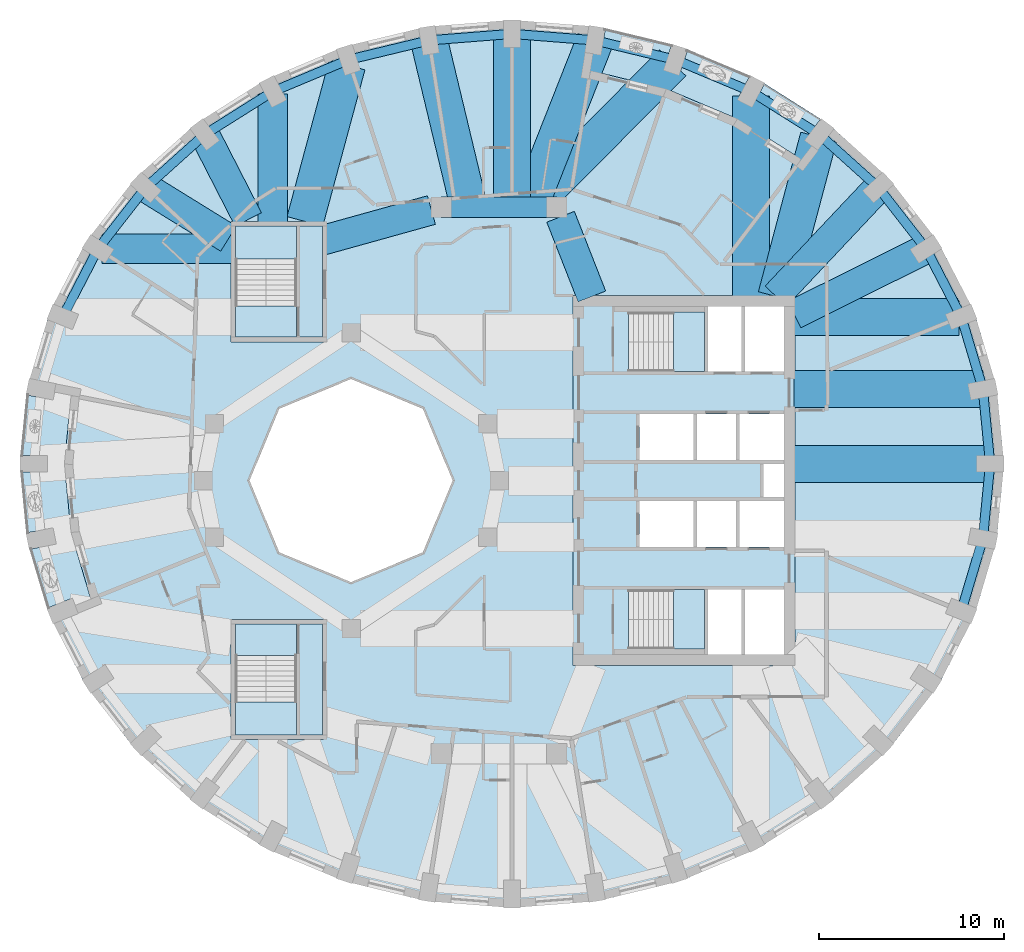
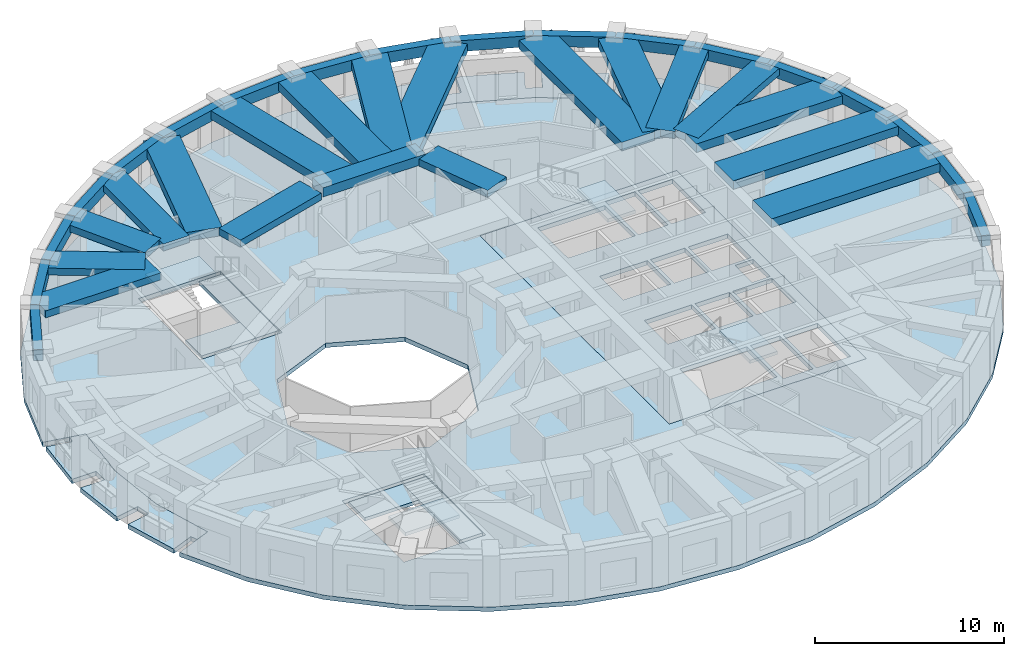
# One storey, part 2 of 12: 37 beams, 12 slabs, 4 elements without a shape of their own.
"""IFC4 building model written with IfcOpenShell, lengths in metres."""

import ifcopenshell
import ifcopenshell.guid

model = None  # the IFC model being written
_history = None  # IfcOwnerHistory: only IFC2X3 demands one
_inside = {}  # id of a spatial element -> (the spatial element, [elements in it])
_under = {}  # id of a project, library or spatial element -> (it, [spatial elements below it])
_declared = {}  # id of a project -> (the project, [libraries it declares])
_typed = {}  # id of a type object -> (the type object, [elements of that type])
_made_of = {}  # id of a material, layer set ... -> (it, [elements and type objects made of it])


def new_model(schema):
    """Start an empty IFC model of exactly this schema.

    Asked for "IFC4X3", IfcOpenShell would pick the latest addendum, in which some entities
    have other attributes; the version numbers below select the first issue.
    IFC2X3 requires an IfcOwnerHistory on every rooted entity: one is made here for all.
    """
    global model, _history
    if schema == "IFC4X3":
        model = ifcopenshell.file(schema_version=(4, 3, 0, 0))
    else:
        model = ifcopenshell.file(schema=schema)
    _inside.clear()
    _under.clear()
    _declared.clear()
    _typed.clear()
    _made_of.clear()
    _history = None
    if model.schema == "IFC2X3":
        org = make("IfcOrganization", Name="unknown")
        user = make(
            "IfcPersonAndOrganization",
            ThePerson=make("IfcPerson", FamilyName="unknown"),
            TheOrganization=org,
        )
        app = make(
            "IfcApplication",
            ApplicationDeveloper=org,
            Version="unknown",
            ApplicationFullName="unknown",
            ApplicationIdentifier="unknown",
        )
        _history = make(
            "IfcOwnerHistory",
            OwningUser=user,
            OwningApplication=app,
            ChangeAction="ADDED",
            CreationDate=0,
        )
    return model


def make(cls, **values):
    """One entity of the class cls with the attributes given. An attribute that is None is left unset."""
    return model.create_entity(
        cls, **{name: value for name, value in values.items() if value is not None}
    )


def rooted(cls, **values):
    """An entity with a GlobalId (a new one), such as an element, a storey or a relation."""
    return make(cls, GlobalId=ifcopenshell.guid.new(), OwnerHistory=_history, **values)


def si_unit(unit_type, name, prefix=None):
    """IfcSIUnit, for example si_unit("LENGTHUNIT", "METRE", prefix="MILLI")."""
    return make("IfcSIUnit", UnitType=unit_type, Prefix=prefix, Name=name)


def assignment(units):
    """IfcUnitAssignment: the units of a project."""
    return None if units is None else make("IfcUnitAssignment", Units=units)


def point(xyz):
    """IfcCartesianPoint."""
    return None if xyz is None else make("IfcCartesianPoint", Coordinates=xyz)


def direction(xyz):
    """IfcDirection."""
    return None if xyz is None else make("IfcDirection", DirectionRatios=xyz)


def frame(location, z_axis=None, x_axis=None):
    """IfcAxis2Placement3D, a coordinate frame: its origin and axes. An axis left out is left unset."""
    return make(
        "IfcAxis2Placement3D",
        Location=point(location),
        Axis=direction(z_axis),
        RefDirection=direction(x_axis),
    )


def frame_2d(location, x_axis=None):
    """IfcAxis2Placement2D, a coordinate frame in the plane: its origin and x axis."""
    return make(
        "IfcAxis2Placement2D", Location=point(location), RefDirection=direction(x_axis)
    )


def origin():
    """The frame at (0, 0, 0) with its axes left unset."""
    return frame((0.0, 0.0, 0.0))


def origin_2d():
    """The frame at (0, 0) in the plane with its x axis left unset."""
    return frame_2d((0.0, 0.0))


def place(relative_to, where):
    """IfcLocalPlacement: puts the frame where relative to a parent placement (None: the world)."""
    return make(
        "IfcLocalPlacement", PlacementRelTo=relative_to, RelativePlacement=where
    )


def context(
    kind, dimensions, precision=None, world=None, true_north=None, identifier=None
):
    """IfcGeometricRepresentationContext, for example the 3D "Model" context."""
    return make(
        "IfcGeometricRepresentationContext",
        ContextIdentifier=identifier,
        ContextType=kind,
        CoordinateSpaceDimension=dimensions,
        Precision=precision,
        WorldCoordinateSystem=world,
        TrueNorth=true_north,
    )


def subcontext(parent, identifier, kind, view, scale=None):
    """IfcGeometricRepresentationSubContext, for example "Body" below "Model"."""
    return make(
        "IfcGeometricRepresentationSubContext",
        ContextIdentifier=identifier,
        ContextType=kind,
        ParentContext=parent,
        TargetScale=scale,
        TargetView=view,
    )


def project(units=None, contexts=None):
    """IfcProject with its units and contexts."""
    return rooted(
        "IfcProject",
        Name="project",
        RepresentationContexts=contexts,
        UnitsInContext=assignment(units),
    )


def spatial(cls, under=None, at=None, **own):
    """A site, building, storey or space (cls), placed at a placement, below another one or the project."""
    s = rooted(cls, ObjectPlacement=at, **own)
    if under is not None:
        _under.setdefault(under.id(), (under, []))[1].append(s)
    return s


def polyline(points):
    """IfcPolyline through the points."""
    return make("IfcPolyline", Points=[point(p) for p in points])


def profile(cls, at=None, kind="AREA", **sizes):
    """A parametric profile (cls). Its sizes go by their IFC names, for example OverallWidth=200.0."""
    return make(cls, ProfileType=kind, Position=at, **sizes)


def rectangle(**sizes):
    """IfcRectangleProfileDef."""
    return profile("IfcRectangleProfileDef", **sizes)


def outline(outer, holes=None, kind="AREA"):
    """IfcArbitraryClosedProfileDef: a profile drawn as a closed curve; with holes, ...WithVoids."""
    if holes is None:
        return make("IfcArbitraryClosedProfileDef", ProfileType=kind, OuterCurve=outer)
    return make(
        "IfcArbitraryProfileDefWithVoids",
        ProfileType=kind,
        OuterCurve=outer,
        InnerCurves=holes,
    )


def extrude(swept, where, along, depth):
    """IfcExtrudedAreaSolid: the profile swept, set in the frame where, extruded along a direction by depth."""
    return make(
        "IfcExtrudedAreaSolid",
        SweptArea=swept,
        Position=where,
        ExtrudedDirection=direction(along),
        Depth=depth,
    )


def shape(context_of_items, identifier, shape_type, items):
    """IfcShapeRepresentation: the items that make up one representation, for example the "Body"."""
    return make(
        "IfcShapeRepresentation",
        ContextOfItems=context_of_items,
        RepresentationIdentifier=identifier,
        RepresentationType=shape_type,
        Items=items,
    )


def material(Name=None, Category=None):
    """IfcMaterial."""
    return make("IfcMaterial", Name=Name, Category=Category)


def layer(
    of_material, thickness, ventilated=None, Name=None, Category=None, Priority=None
):
    """IfcMaterialLayer: one layer of a wall or slab, of a material (None: an air gap)."""
    return make(
        "IfcMaterialLayer",
        Material=of_material,
        LayerThickness=thickness,
        IsVentilated=ventilated,
        Name=Name,
        Category=Category,
        Priority=Priority,
    )


def layer_set(layers, Name=None):
    """IfcMaterialLayerSet."""
    return make("IfcMaterialLayerSet", MaterialLayers=layers, LayerSetName=Name)


def material_profile(
    of_material, cross_section, Name=None, Category=None, Priority=None
):
    """IfcMaterialProfile: a cross section and its material."""
    return make(
        "IfcMaterialProfile",
        Name=Name,
        Material=of_material,
        Profile=cross_section,
        Priority=Priority,
        Category=Category,
    )


def profile_set(profiles, Name=None, composite=None):
    """IfcMaterialProfileSet."""
    return make(
        "IfcMaterialProfileSet",
        Name=Name,
        MaterialProfiles=profiles,
        CompositeProfile=composite,
    )


def made_of(thing, what):
    """Note that an element or type object is made of a material, layer set ...; save() writes the relation."""
    if what is not None:
        _made_of.setdefault(what.id(), (what, []))[1].append(thing)
    return thing


def type_object(cls, material=None, **own):
    """A type object (cls), such as IfcWallType, which elements share."""
    return made_of(rooted(cls, **own), material)


def element(
    cls,
    number,
    at=None,
    inside=None,
    cuts=None,
    type_object=None,
    material=None,
    context=None,
    identifier="Body",
    shape_type=None,
    held_by="IfcProductDefinitionShape",
    body=None,
    shapes=None,
    **own,
):
    """One element of the class cls, such as IfcWall. Its Tag is "e" and its number.

    at: its placement. inside: the storey or other place that contains it. cuts: it is an
    opening in that element (IfcRelVoidsElement). A single representation is given by context,
    identifier, shape_type and body (its items); several are given by shapes. held_by: the class
    of the entity that holds the representations. save() writes the other relations.
    """
    e = rooted(cls, Tag="e%d" % number, ObjectPlacement=at, **own)
    if body is not None:
        shapes = [shape(context, identifier, shape_type, body)]
    if shapes is not None:
        e.Representation = make(held_by, Representations=shapes)
    if inside is not None:
        _inside.setdefault(inside.id(), (inside, []))[1].append(e)
    if cuts is not None:
        rooted(
            "IfcRelVoidsElement", RelatingBuildingElement=cuts, RelatedOpeningElement=e
        )
    if type_object is not None:
        _typed.setdefault(type_object.id(), (type_object, []))[1].append(e)
    return made_of(e, material)


def aggregate(whole, parts):
    """IfcRelAggregates: a whole, such as a stair, and the parts it consists of."""
    return rooted("IfcRelAggregates", RelatingObject=whole, RelatedObjects=parts)


def save(model, path):
    """Write the relations noted so far, then the file.

    IfcRelAggregates (storeys below a building ...), IfcRelContainedInSpatialStructure (elements
    in a storey), IfcRelDefinesByType, IfcRelAssociatesMaterial and IfcRelDeclares: one each for
    every whole, place, type object, material and project.
    """
    for whole, parts in _under.values():
        aggregate(whole, parts)
    for where, things in _inside.values():
        rooted(
            "IfcRelContainedInSpatialStructure",
            RelatedElements=things,
            RelatingStructure=where,
        )
    for kind, things in _typed.values():
        rooted("IfcRelDefinesByType", RelatedObjects=things, RelatingType=kind)
    for what, things in _made_of.values():
        rooted("IfcRelAssociatesMaterial", RelatedObjects=things, RelatingMaterial=what)
    for by, libraries in _declared.values():
        rooted("IfcRelDeclares", RelatingContext=by, RelatedDefinitions=libraries)
    model.write(path)


model = new_model("IFC4")

# Units and contexts
model_context = context("Model", 3, precision=1e-05, world=origin(), true_north=direction((0.0, 1.0)))
body_context = subcontext(model_context, "Body", "Model", "MODEL_VIEW")
ifc_project = project(units=[si_unit("LENGTHUNIT", "METRE"), si_unit("AREAUNIT", "SQUARE_METRE"), si_unit("VOLUMEUNIT", "CUBIC_METRE"), si_unit("PLANEANGLEUNIT", "RADIAN"), si_unit("MASSUNIT", "GRAM", prefix="KILO")], contexts=[model_context])

# Site, building, storey
site_placement = place(None, origin())
site = spatial("IfcSite", under=ifc_project, at=site_placement, CompositionType="ELEMENT")
building_placement = place(site_placement, origin())
building = spatial("IfcBuilding", under=site, at=building_placement, Name="Taillehof Tower", CompositionType="ELEMENT")
storey_placement = place(building_placement, frame((0.0, 0.0, 195.800048828125)))
storey = spatial("IfcBuildingStorey", under=building, at=storey_placement, Name="L55", CompositionType="ELEMENT", Elevation=195.800048828125)

# Beams
ifc_material_1 = material(Name="Concrete C50/60", Category="concrete")
ifc_material_profile_1 = material_profile(ifc_material_1, rectangle(XDim=1.10009765625, YDim=0.60009765625, at=origin_2d()), Name="RC 1100x600")
ifc_profile_set_1 = profile_set([ifc_material_profile_1], Name="Concrete C50/60")
beam_type_1 = type_object("IfcBeamType", Name="Mid-ring beam C50/60 1100x600", PredefinedType="BEAM", material=ifc_profile_set_1)
beam_1_placement = place(storey_placement, frame((3.125732421875, 14.772216796875, 2.719970703125), z_axis=(-1.0, 0.0, 0.0), x_axis=(0.0, -1.0, 0.0)))
element("IfcBeam", 1, at=beam_1_placement, inside=storey, type_object=beam_type_1, Name="Mid-ring beam MB01", PredefinedType="BEAM", context=body_context, shape_type="SweptSolid", body=[
    extrude(rectangle(XDim=1.10009765625, YDim=0.60009765625, at=origin_2d()), origin(), (0.0, 0.0, 1.0), 6.25146484375),
])
ifc_material_2 = material(Name="Concrete C50/60", Category="concrete")
ifc_material_profile_2 = material_profile(ifc_material_2, rectangle(XDim=1.60009765625, YDim=0.449951171875, at=origin_2d()), Name="RC 1600x450")
ifc_profile_set_2 = profile_set([ifc_material_profile_2], Name="Concrete C50/60")
beam_type_2 = type_object("IfcBeamType", Name="Radial band beam C50/60 1600x450", PredefinedType="BEAM", material=ifc_profile_set_2)
beam_2_placement = place(storey_placement, frame((23.086669921875, 12.52490234375, 2.794921875), z_axis=(-0.895357082848, -0.445348957778, 0.0), x_axis=(0.445348957778, -0.895357082848, 0.0)))
element("IfcBeam", 2, at=beam_2_placement, inside=storey, type_object=beam_type_2, Name="Radial band beam RB04", PredefinedType="BEAM", context=body_context, shape_type="SweptSolid", body=[
    extrude(rectangle(XDim=1.60009765625, YDim=0.449951171875, at=origin_2d()), origin(), (0.0, 0.0, 1.0), 7.96484375),
])
beam_3_placement = place(storey_placement, frame((20.502197265625, 15.8447265625, 2.794921875), z_axis=(-0.685451470964, -0.728118315217, 0.0), x_axis=(0.728118315217, -0.685451470964, 0.0)))
element("IfcBeam", 3, at=beam_3_placement, inside=storey, type_object=beam_type_2, Name="Radial band beam RB05", PredefinedType="BEAM", context=body_context, shape_type="SweptSolid", body=[
    extrude(rectangle(XDim=1.60009765625, YDim=0.449951171875, at=origin_2d()), origin(), (0.0, 0.0, 1.0), 8.07373046875),
])
beam_4_placement = place(storey_placement, frame((-12.22509765625, 20.9013671875, 2.794921875), z_axis=(0.0, -1.0, 0.0), x_axis=(1.0, 0.0, 0.0)))
element("IfcBeam", 4, at=beam_4_placement, inside=storey, type_object=beam_type_2, Name="Radial band beam RB13", PredefinedType="BEAM", context=body_context, shape_type="SweptSolid", body=[
    extrude(rectangle(XDim=1.60009765625, YDim=0.449951171875, at=origin_2d()), origin(), (0.0, 0.0, 1.0), 6.951416015625),
])
beam_5_placement = place(storey_placement, frame((-15.916015625, 18.71044921875, 2.794921875), z_axis=(0.456360793517, -0.889794822496, 0.0), x_axis=(0.889794822496, 0.456360793517, 0.0)))
element("IfcBeam", 5, at=beam_5_placement, inside=storey, type_object=beam_type_2, Name="Radial band beam RB14", PredefinedType="BEAM", context=body_context, shape_type="SweptSolid", body=[
    extrude(rectangle(XDim=1.60009765625, YDim=0.449951171875, at=origin_2d()), origin(), (0.0, 0.0, 1.0), 5.16455078125),
])
beam_6_placement = place(storey_placement, frame((-19.102294921875, 15.8447265625, 2.794921875), z_axis=(0.850616081395, -0.525787297366, 0.0), x_axis=(0.525787297366, 0.850616081395, 0.0)))
element("IfcBeam", 6, at=beam_6_placement, inside=storey, type_object=beam_type_2, Name="Radial band beam RB15", PredefinedType="BEAM", context=body_context, shape_type="SweptSolid", body=[
    extrude(rectangle(XDim=1.60009765625, YDim=0.449951171875, at=origin_2d()), origin(), (0.0, 0.0, 1.0), 5.260498046875),
])
beam_7_placement = place(storey_placement, frame((-21.47021484375, 12.52490234375, 2.794921875), z_axis=(1.0, 0.0, 0.0), x_axis=(0.0, 1.0, 0.0)))
element("IfcBeam", 7, at=beam_7_placement, inside=storey, type_object=beam_type_2, Name="Radial band beam RB16", PredefinedType="BEAM", context=body_context, shape_type="SweptSolid", body=[
    extrude(rectangle(XDim=1.60009765625, YDim=0.449951171875, at=origin_2d()), origin(), (0.0, 0.0, 1.0), 7.020263671875),
])
beam_8_placement = place(storey_placement, frame((3.32666015625, 14.26025390625, 2.794921875), z_axis=(0.365588707223, -0.930776502255, 0.0), x_axis=(0.930776502255, 0.365588707223, 0.0)))
element("IfcBeam", 8, at=beam_8_placement, inside=storey, type_object=beam_type_2, Name="Inner band beam IB205", PredefinedType="BEAM", context=body_context, shape_type="SweptSolid", body=[
    extrude(rectangle(XDim=1.60009765625, YDim=0.449951171875, at=origin_2d()), origin(), (0.0, 0.0, 1.0), 4.627197265625),
])
beam_9_placement = place(storey_placement, frame((-3.655517578125, 14.624755859375, 2.794921875), z_axis=(-0.963459369536, -0.267854518821, 0.0), x_axis=(0.267854518821, -0.963459369536, 0.0)))
element("IfcBeam", 9, at=beam_9_placement, inside=storey, type_object=beam_type_2, Name="Inner band beam IB206", PredefinedType="BEAM", context=body_context, shape_type="SweptSolid", body=[
    extrude(rectangle(XDim=1.60009765625, YDim=0.449951171875, at=origin_2d()), origin(), (0.0, 0.0, 1.0), 6.096923828125),
])
ifc_material_3 = material(Name="Concrete C50/60", Category="concrete")
ifc_material_profile_3 = material_profile(ifc_material_3, rectangle(XDim=2.0, YDim=0.550048828125, at=origin_2d()), Name="RC 2000x550")
ifc_profile_set_3 = profile_set([ifc_material_profile_3], Name="Concrete C50/60")
beam_type_3 = type_object("IfcBeamType", Name="Radial band beam C50/60 2000x550", PredefinedType="BEAM", material=ifc_profile_set_3)
beam_10_placement = place(storey_placement, frame((26.550048828125, 0.89990234375, 2.744873046875), z_axis=(-1.0, 0.0, 0.0), x_axis=(0.0, -1.0, 0.0)))
element("IfcBeam", 10, at=beam_10_placement, inside=storey, type_object=beam_type_3, Name="Radial band beam RB01", PredefinedType="BEAM", context=body_context, shape_type="SweptSolid", body=[
    extrude(rectangle(XDim=2.0, YDim=0.550048828125, at=origin_2d()), origin(), (0.0, 0.0, 1.0), 10.60009765625),
])
beam_11_placement = place(storey_placement, frame((26.1572265625, 4.937255859375, 2.744873046875), z_axis=(-1.0, 0.0, 0.0), x_axis=(0.0, -1.0, 0.0)))
element("IfcBeam", 11, at=beam_11_placement, inside=storey, type_object=beam_type_3, Name="Radial band beam RB02", PredefinedType="BEAM", context=body_context, shape_type="SweptSolid", body=[
    extrude(rectangle(XDim=2.0, YDim=0.550048828125, at=origin_2d()), origin(), (0.0, 0.0, 1.0), 10.207275390625),
])
beam_12_placement = place(storey_placement, frame((24.856201171875, 8.85205078125, 2.744873046875), z_axis=(-1.0, 0.0, 0.0), x_axis=(0.0, -1.0, 0.0)))
element("IfcBeam", 12, at=beam_12_placement, inside=storey, type_object=beam_type_3, Name="Radial band beam RB03", PredefinedType="BEAM", context=body_context, shape_type="SweptSolid", body=[
    extrude(rectangle(XDim=2.0, YDim=0.550048828125, at=origin_2d()), origin(), (0.0, 0.0, 1.0), 8.90625),
])
beam_13_placement = place(storey_placement, frame((17.28076171875, 18.577880859375, 2.744873046875), z_axis=(-0.256969711091, -0.966419457369, 0.0), x_axis=(0.966419457369, -0.256969711091, 0.0)))
element("IfcBeam", 13, at=beam_13_placement, inside=storey, type_object=beam_type_3, Name="Radial band beam RB06", PredefinedType="BEAM", context=body_context, shape_type="SweptSolid", body=[
    extrude(rectangle(XDim=2.0, YDim=0.550048828125, at=origin_2d()), origin(), (0.0, 0.0, 1.0), 8.926025390625),
])
beam_14_placement = place(storey_placement, frame((13.625, 20.797607421875, 2.744873046875), z_axis=(0.0, -1.0, 0.0), x_axis=(1.0, 0.0, 0.0)))
element("IfcBeam", 14, at=beam_14_placement, inside=storey, type_object=beam_type_3, Name="Radial band beam RB07", PredefinedType="BEAM", context=body_context, shape_type="SweptSolid", body=[
    extrude(rectangle(XDim=2.0, YDim=0.550048828125, at=origin_2d()), origin(), (0.0, 0.0, 1.0), 10.84765625),
])
beam_15_placement = place(storey_placement, frame((9.384765625, 22.590087890625, 2.744873046875), z_axis=(-0.704433609475, -0.709769885133, 0.0), x_axis=(0.709769885133, -0.704433609475, 0.0)))
element("IfcBeam", 15, at=beam_15_placement, inside=storey, type_object=beam_type_3, Name="Radial band beam RB08", PredefinedType="BEAM", context=body_context, shape_type="SweptSolid", body=[
    extrude(rectangle(XDim=2.0, YDim=0.550048828125, at=origin_2d()), origin(), (0.0, 0.0, 1.0), 10.79736328125),
])
beam_16_placement = place(storey_placement, frame((5.188720703125, 23.796875, 2.744873046875), z_axis=(-0.367222105753, -0.930133283485, 0.0), x_axis=(0.930133283485, -0.367222105753, 0.0)))
element("IfcBeam", 16, at=beam_16_placement, inside=storey, type_object=beam_type_3, Name="Radial band beam RB09", PredefinedType="BEAM", context=body_context, shape_type="SweptSolid", body=[
    extrude(rectangle(XDim=2.0, YDim=0.550048828125, at=origin_2d()), origin(), (0.0, 0.0, 1.0), 9.70263671875),
])
beam_17_placement = place(storey_placement, frame((0.699951171875, 24.14990234375, 2.744873046875), z_axis=(0.0, -1.0, 0.0), x_axis=(1.0, 0.0, 0.0)))
element("IfcBeam", 17, at=beam_17_placement, inside=storey, type_object=beam_type_3, Name="Radial band beam RB10", PredefinedType="BEAM", context=body_context, shape_type="SweptSolid", body=[
    extrude(rectangle(XDim=2.0, YDim=0.550048828125, at=origin_2d()), origin(), (0.0, 0.0, 1.0), 9.377685546875),
])
beam_18_placement = place(storey_placement, frame((-3.788818359375, 23.796875, 2.744873046875), z_axis=(0.233084395558, -0.972456510363, 0.0), x_axis=(0.972456510363, 0.233084395558, 0.0)))
element("IfcBeam", 18, at=beam_18_placement, inside=storey, type_object=beam_type_3, Name="Radial band beam RB11", PredefinedType="BEAM", context=body_context, shape_type="SweptSolid", body=[
    extrude(rectangle(XDim=2.0, YDim=0.550048828125, at=origin_2d()), origin(), (0.0, 0.0, 1.0), 9.2802734375),
])
beam_19_placement = place(storey_placement, frame((-8.2177734375, 22.464111328125, 2.744873046875), z_axis=(-0.260346436551, -0.965515268121, 0.0), x_axis=(0.965515268121, -0.260346436551, 0.0)))
element("IfcBeam", 19, at=beam_19_placement, inside=storey, type_object=beam_type_3, Name="Radial band beam RB12", PredefinedType="BEAM", context=body_context, shape_type="SweptSolid", body=[
    extrude(rectangle(XDim=2.0, YDim=0.550048828125, at=origin_2d()), origin(), (0.0, 0.0, 1.0), 8.755859375),
])
ifc_material_4 = material(Name="Concrete C50/60", Category="concrete")
ifc_material_profile_4 = material_profile(ifc_material_4, rectangle(XDim=0.5, YDim=0.699951171875, at=origin_2d()), Name="RC 500x700")
ifc_profile_set_4 = profile_set([ifc_material_profile_4], Name="Concrete C50/60")
beam_type_4 = type_object("IfcBeamType", Name="Spandrel beam C50/60 500x700", PredefinedType="SPANDREL", material=ifc_profile_set_4)
beam_20_placement = place(storey_placement, frame((26.550048828125, 0.89990234375, 2.669921875), z_axis=(-0.096839674059, 0.995299993735, 0.0), x_axis=(-0.995299993735, -0.096839674059, 0.0)))
element("IfcBeam", 20, at=beam_20_placement, inside=storey, type_object=beam_type_4, Name="Spandrel beam SB01", PredefinedType="SPANDREL", context=body_context, shape_type="SweptSolid", body=[
    extrude(rectangle(XDim=0.5, YDim=0.699951171875, at=origin_2d()), origin(), (0.0, 0.0, 1.0), 4.056396484375),
])
beam_21_placement = place(storey_placement, frame((26.1572265625, 4.937255859375, 2.669921875), z_axis=(-0.285510458946, 0.9583755933, 0.0), x_axis=(-0.9583755933, -0.285510458946, 0.0)))
element("IfcBeam", 21, at=beam_21_placement, inside=storey, type_object=beam_type_4, Name="Spandrel beam SB02", PredefinedType="SPANDREL", context=body_context, shape_type="SweptSolid", body=[
    extrude(rectangle(XDim=0.5, YDim=0.699951171875, at=origin_2d()), origin(), (0.0, 0.0, 1.0), 4.084716796875),
])
beam_22_placement = place(storey_placement, frame((24.990966796875, 8.85205078125, 2.669921875), z_axis=(-0.460289604274, 0.887768821371, 0.0), x_axis=(-0.887768821371, -0.460289604274, 0.0)))
element("IfcBeam", 22, at=beam_22_placement, inside=storey, type_object=beam_type_4, Name="Spandrel beam SB03", PredefinedType="SPANDREL", context=body_context, shape_type="SweptSolid", body=[
    extrude(rectangle(XDim=0.5, YDim=0.699951171875, at=origin_2d()), origin(), (0.0, 0.0, 1.0), 4.13720703125),
])
beam_23_placement = place(storey_placement, frame((23.086669921875, 12.52490234375, 2.669921875), z_axis=(-0.614294081938, 0.789077170432, 0.0), x_axis=(-0.789077170432, -0.614294081938, 0.0)))
element("IfcBeam", 23, at=beam_23_placement, inside=storey, type_object=beam_type_4, Name="Spandrel beam SB04", PredefinedType="SPANDREL", context=body_context, shape_type="SweptSolid", body=[
    extrude(rectangle(XDim=0.5, YDim=0.699951171875, at=origin_2d()), origin(), (0.0, 0.0, 1.0), 4.207275390625),
])
beam_24_placement = place(storey_placement, frame((20.502197265625, 15.8447265625, 2.669921875), z_axis=(-0.743492416006, 0.668744366213, 0.0), x_axis=(-0.668744366213, -0.743492416006, 0.0)))
element("IfcBeam", 24, at=beam_24_placement, inside=storey, type_object=beam_type_4, Name="Spandrel beam SB05", PredefinedType="SPANDREL", context=body_context, shape_type="SweptSolid", body=[
    extrude(rectangle(XDim=0.5, YDim=0.699951171875, at=origin_2d()), origin(), (0.0, 0.0, 1.0), 4.28515625),
])
beam_25_placement = place(storey_placement, frame((17.316162109375, 18.71044921875, 2.669921875), z_axis=(-0.846166475687, 0.532918657417, 0.0), x_axis=(-0.532918657417, -0.846166475687, 0.0)))
element("IfcBeam", 25, at=beam_25_placement, inside=storey, type_object=beam_type_4, Name="Spandrel beam SB06", PredefinedType="SPANDREL", context=body_context, shape_type="SweptSolid", body=[
    extrude(rectangle(XDim=0.5, YDim=0.699951171875, at=origin_2d()), origin(), (0.0, 0.0, 1.0), 4.3623046875),
])
beam_26_placement = place(storey_placement, frame((13.625, 21.03515625, 2.669921875), z_axis=(-0.92218550199, 0.386747850569, 0.0), x_axis=(-0.386747850569, -0.92218550199, 0.0)))
element("IfcBeam", 26, at=beam_26_placement, inside=storey, type_object=beam_type_4, Name="Spandrel beam SB07", PredefinedType="SPANDREL", context=body_context, shape_type="SweptSolid", body=[
    extrude(rectangle(XDim=0.5, YDim=0.699951171875, at=origin_2d()), origin(), (0.0, 0.0, 1.0), 4.42822265625),
])
beam_27_placement = place(storey_placement, frame((9.541259765625, 22.747802734375, 2.669921875), z_axis=(-0.972160640613, 0.234315361943, 0.0), x_axis=(-0.234315361943, -0.972160640613, 0.0)))
element("IfcBeam", 27, at=beam_27_placement, inside=storey, type_object=beam_type_4, Name="Spandrel beam SB08", PredefinedType="SPANDREL", context=body_context, shape_type="SweptSolid", body=[
    extrude(rectangle(XDim=0.5, YDim=0.699951171875, at=origin_2d()), origin(), (0.0, 0.0, 1.0), 4.477294921875),
])
for number, where, z_axis, x_axis, name in (
    (28, (5.188720703125, 23.796875, 2.669921875), (-0.996921613963, 0.078404691275, 0.0), (-0.078404691275, -0.996921613963, 0.0), "Spandrel beam SB09"),
    (29, (0.699951171875, 24.14990234375, 2.669921875), (-0.996921613963, -0.078404691275, 0.0), (0.078404691275, -0.996921613963, 0.0), "Spandrel beam SB10"),
):
    element("IfcBeam", number, at=place(storey_placement, frame(where, z_axis=z_axis, x_axis=x_axis)), inside=storey, type_object=beam_type_4, Name=name, PredefinedType="SPANDREL", context=body_context, shape_type="SweptSolid", body=[
        extrude(rectangle(XDim=0.5, YDim=0.699951171875, at=origin_2d()), origin(), (0.0, 0.0, 1.0), 4.502685546875),
    ])
beam_28_placement = place(storey_placement, frame((-3.788818359375, 23.796875, 2.669921875), z_axis=(-0.972157646478, -0.234327784087, 0.0), x_axis=(0.234327784087, -0.972157646478, 0.0)))
element("IfcBeam", 30, at=beam_28_placement, inside=storey, type_object=beam_type_4, Name="Spandrel beam SB11", PredefinedType="SPANDREL", context=body_context, shape_type="SweptSolid", body=[
    extrude(rectangle(XDim=0.5, YDim=0.699951171875, at=origin_2d()), origin(), (0.0, 0.0, 1.0), 4.47705078125),
])
beam_29_placement = place(storey_placement, frame((-8.14111328125, 22.747802734375, 2.669921875), z_axis=(-0.922193747603, -0.386728188632, 0.0), x_axis=(0.386728188632, -0.922193747603, 0.0)))
element("IfcBeam", 31, at=beam_29_placement, inside=storey, type_object=beam_type_4, Name="Spandrel beam SB12", PredefinedType="SPANDREL", context=body_context, shape_type="SweptSolid", body=[
    extrude(rectangle(XDim=0.5, YDim=0.699951171875, at=origin_2d()), origin(), (0.0, 0.0, 1.0), 4.428466796875),
])
beam_30_placement = place(storey_placement, frame((-12.22509765625, 21.03515625, 2.669921875), z_axis=(-0.846150579775, -0.532943896059, 0.0), x_axis=(0.532943896059, -0.846150579775, 0.0)))
element("IfcBeam", 32, at=beam_30_placement, inside=storey, type_object=beam_type_4, Name="Spandrel beam SB13", PredefinedType="SPANDREL", context=body_context, shape_type="SweptSolid", body=[
    extrude(rectangle(XDim=0.5, YDim=0.699951171875, at=origin_2d()), origin(), (0.0, 0.0, 1.0), 4.362060546875),
])
beam_31_placement = place(storey_placement, frame((-15.916015625, 18.71044921875, 2.669921875), z_axis=(-0.743517893617, -0.668716039789, 0.0), x_axis=(0.668716039789, -0.743517893617, 0.0)))
element("IfcBeam", 33, at=beam_31_placement, inside=storey, type_object=beam_type_4, Name="Spandrel beam SB14", PredefinedType="SPANDREL", context=body_context, shape_type="SweptSolid", body=[
    extrude(rectangle(XDim=0.5, YDim=0.699951171875, at=origin_2d()), origin(), (0.0, 0.0, 1.0), 4.285400390625),
])
beam_32_placement = place(storey_placement, frame((-19.102294921875, 15.8447265625, 2.669921875), z_axis=(-0.614294081938, -0.789077170432, 0.0), x_axis=(0.789077170432, -0.614294081938, 0.0)))
element("IfcBeam", 34, at=beam_32_placement, inside=storey, type_object=beam_type_4, Name="Spandrel beam SB15", PredefinedType="SPANDREL", context=body_context, shape_type="SweptSolid", body=[
    extrude(rectangle(XDim=0.5, YDim=0.699951171875, at=origin_2d()), origin(), (0.0, 0.0, 1.0), 4.207275390625),
])
beam_33_placement = place(storey_placement, frame((-21.686767578125, 12.52490234375, 2.669921875), z_axis=(-0.460289604274, -0.887768821371, 0.0), x_axis=(0.887768821371, -0.460289604274, 0.0)))
element("IfcBeam", 35, at=beam_33_placement, inside=storey, type_object=beam_type_4, Name="Spandrel beam SB16", PredefinedType="SPANDREL", context=body_context, shape_type="SweptSolid", body=[
    extrude(rectangle(XDim=0.5, YDim=0.699951171875, at=origin_2d()), origin(), (0.0, 0.0, 1.0), 4.13720703125),
])
beam_34_placement = place(storey_placement, frame((24.990966796875, -7.052001953125, 2.669921875), z_axis=(0.285510458946, 0.9583755933, 0.0), x_axis=(-0.9583755933, 0.285510458946, 0.0)))
element("IfcBeam", 36, at=beam_34_placement, inside=storey, type_object=beam_type_4, Name="Spandrel beam SB35", PredefinedType="SPANDREL", context=body_context, shape_type="SweptSolid", body=[
    extrude(rectangle(XDim=0.5, YDim=0.699951171875, at=origin_2d()), origin(), (0.0, 0.0, 1.0), 4.084716796875),
])
beam_35_placement = place(storey_placement, frame((26.1572265625, -3.13720703125, 2.669921875), z_axis=(0.096845475428, 0.995299429262, 0.0), x_axis=(-0.995299429262, 0.096845475428, 0.0)))
element("IfcBeam", 37, at=beam_35_placement, inside=storey, type_object=beam_type_4, Name="Spandrel beam SB36", PredefinedType="SPANDREL", context=body_context, shape_type="SweptSolid", body=[
    extrude(rectangle(XDim=0.5, YDim=0.699951171875, at=origin_2d()), origin(), (0.0, 0.0, 1.0), 4.05615234375),
])

# Slabs
ifc_material_5 = material(Name="Concrete C40/50", Category="concrete")
ifc_layer_1 = layer(ifc_material_5, 0.280029296875)
ifc_layer_set_1 = layer_set([ifc_layer_1], Name="Balcony slab 280")
slab_type_1 = type_object("IfcSlabType", Name="Balcony slab 280", PredefinedType="USERDEFINED", material=ifc_layer_set_1)
slab_1_placement = place(storey_placement, frame((0.0, 0.0, -0.280029296875)))
element("IfcSlab", 38, at=slab_1_placement, inside=storey, type_object=slab_type_1, Name="Balcony L55 pocket 1", ObjectType="BALCONY", PredefinedType="USERDEFINED", context=body_context, shape_type="SweptSolid", body=[
    extrude(outline(polyline([(4.94189453125, 22.165283203125), (5.08349609375, 23.05419921875), (5.515380859375, 22.9853515625), (5.74560546875, 24.432373046875), (9.335693359375, 23.564208984375), (8.879638671875, 22.17578125), (9.73486328125, 21.894775390625), (10.19189453125, 23.286865234375), (13.5537109375, 21.872314453125), (12.87939453125, 20.577880859375), (13.677490234375, 20.162109375), (14.354248046875, 21.4609375), (17.384521484375, 19.54638671875), (16.504638671875, 18.38427734375), (16.893310546875, 18.08984375), (16.349609375, 17.37158203125), (12.89111328125, 19.55615234375), (9.048828125, 21.17236328125), (4.94189453125, 22.165283203125)])), origin(), (0.0, 0.0, 1.0), 0.280029296875),
])
slab_2_placement = place(storey_placement, frame((0.0, 0.0, -0.280029296875)))
element("IfcSlab", 39, at=slab_2_placement, inside=storey, type_object=slab_type_1, Name="Balcony L55 pocket 5", ObjectType="BALCONY", PredefinedType="USERDEFINED", context=body_context, shape_type="SweptSolid", body=[
    extrude(outline(polyline([(-22.070068359375, -6.41064453125), (-22.9052734375, -6.74755859375), (-23.06396484375, -6.35400390625), (-24.417236328125, -6.89990234375), (-25.36328125, -3.71435546875), (-23.934814453125, -3.43505859375), (-24.107421875, -2.5517578125), (-25.5380859375, -2.831298828125), (-25.8564453125, 0.449951171875), (-24.39990234375, 0.449951171875), (-24.39990234375, 1.35009765625), (-25.8564453125, 1.35009765625), (-25.5380859375, 4.63134765625), (-24.107421875, 4.351806640625), (-24.02392578125, 4.77978515625), (-23.140380859375, 4.607177734375), (-23.5, 0.89990234375), (-23.140380859375, -2.80712890625), (-22.070068359375, -6.41064453125)])), origin(), (0.0, 0.0, 1.0), 0.280029296875),
])
ifc_material_6 = material(Name="Concrete C40/50", Category="concrete")
ifc_layer_2 = layer(ifc_material_6, 0.280029296875)
ifc_layer_set_2 = layer_set([ifc_layer_2], Name="Core floor slab C40/50 280")
slab_type_2 = type_object("IfcSlabType", Name="Core floor slab C40/50 280", PredefinedType="FLOOR", material=ifc_layer_set_2)
slab_3_placement = place(storey_placement, frame((0.0, 0.0, -0.280029296875)))
element("IfcSlab", 40, at=slab_3_placement, inside=storey, type_object=slab_type_2, Name="Core floor L55", PredefinedType="FLOOR", context=body_context, shape_type="SweptSolid", body=[
    extrude(outline(polyline([(4.0, -10.0), (4.0, 10.0), (16.0, 10.0), (16.0, -10.0), (4.0, -10.0)]), holes=[polyline([(11.10009765625, -9.10009765625), (11.10009765625, -5.89990234375), (7.00048828125, -5.89990234375), (7.00048828125, -9.10009765625), (11.10009765625, -9.10009765625)]), polyline([(10.5, -3.60009765625), (10.5, -1.10009765625), (7.60009765625, -1.10009765625), (7.60009765625, -3.60009765625), (10.5, -3.60009765625)]), polyline([(12.800048828125, -3.60009765625), (12.800048828125, -1.10009765625), (10.699951171875, -1.10009765625), (10.699951171875, -3.60009765625), (12.800048828125, -3.60009765625)]), polyline([(10.5, 3.60009765625), (7.60009765625, 3.60009765625), (7.60009765625, 1.10009765625), (10.5, 1.10009765625), (10.5, 3.60009765625)]), polyline([(12.800048828125, 1.10009765625), (12.800048828125, 3.60009765625), (10.699951171875, 3.60009765625), (10.699951171875, 1.10009765625), (12.800048828125, 1.10009765625)]), polyline([(11.10009765625, 5.89990234375), (11.10009765625, 9.10009765625), (7.00048828125, 9.10009765625), (7.00048828125, 5.89990234375), (11.10009765625, 5.89990234375)]), polyline([(13.10009765625, 9.39990234375), (11.300048828125, 9.39990234375), (11.300048828125, 5.89990234375), (13.10009765625, 5.89990234375), (13.10009765625, 9.39990234375)]), polyline([(13.10009765625, -9.39990234375), (13.10009765625, -5.89990234375), (11.300048828125, -5.89990234375), (11.300048828125, -9.39990234375), (13.10009765625, -9.39990234375)]), polyline([(15.39990234375, -9.39990234375), (15.39990234375, -5.89990234375), (13.300048828125, -5.89990234375), (13.300048828125, -9.39990234375), (15.39990234375, -9.39990234375)]), polyline([(15.39990234375, -3.60009765625), (15.39990234375, -1.10009765625), (13.0, -1.10009765625), (13.0, -3.60009765625), (15.39990234375, -3.60009765625)]), polyline([(15.39990234375, -0.89990234375), (15.39990234375, 0.89990234375), (14.300048828125, 0.89990234375), (14.300048828125, -0.89990234375), (15.39990234375, -0.89990234375)]), polyline([(15.39990234375, 1.10009765625), (15.39990234375, 3.60009765625), (13.0, 3.60009765625), (13.0, 1.10009765625), (15.39990234375, 1.10009765625)]), polyline([(15.39990234375, 5.89990234375), (15.39990234375, 9.39990234375), (13.300048828125, 9.39990234375), (13.300048828125, 5.89990234375), (15.39990234375, 5.89990234375)])]), origin(), (0.0, 0.0, 1.0), 0.280029296875),
])
ifc_material_7 = material(Name="Concrete C40/50", Category="concrete")
ifc_layer_3 = layer(ifc_material_7, 0.280029296875)
ifc_layer_set_3 = layer_set([ifc_layer_3], Name="Floor slab 280")
slab_type_3 = type_object("IfcSlabType", Name="Floor slab 280", PredefinedType="FLOOR", material=ifc_layer_set_3)
slab_4_placement = place(storey_placement, frame((0.0, 0.0, -0.280029296875)))
element("IfcSlab", 41, at=slab_4_placement, inside=storey, type_object=slab_type_3, Name="Floor slab L55", PredefinedType="FLOOR", context=body_context, shape_type="SweptSolid", body=[
    extrude(outline(polyline([(27.300048828125, 0.89990234375), (26.89599609375, 5.067626953125), (25.69580078125, 9.1083984375), (23.736328125, 12.89990234375), (21.076904296875, 16.326904296875), (17.798095703125, 19.28515625), (16.349609375, 17.37158203125), (12.89111328125, 19.55615234375), (9.048828125, 21.17236328125), (4.94189453125, 22.165283203125), (5.319091796875, 24.535400390625), (0.699951171875, 24.89990234375), (-3.9189453125, 24.535400390625), (-8.397705078125, 23.45263671875), (-12.60009765625, 21.6845703125), (-16.398193359375, 19.28515625), (-19.6767578125, 16.326904296875), (-22.336181640625, 12.89990234375), (-24.2958984375, 9.1083984375), (-25.495849609375, 5.067626953125), (-23.140380859375, 4.607177734375), (-23.5, 0.89990234375), (-23.140380859375, -2.80712890625), (-22.070068359375, -6.41064453125), (-24.2958984375, -7.30859375), (-22.336181640625, -11.10009765625), (-19.6767578125, -14.52685546875), (-16.398193359375, -17.485107421875), (-12.60009765625, -19.884521484375), (-8.397705078125, -21.652587890625), (-3.9189453125, -22.7353515625), (0.699951171875, -23.10009765625), (5.319091796875, -22.7353515625), (9.797607421875, -21.652587890625), (14.0, -19.884521484375), (17.798095703125, -17.485107421875), (21.076904296875, -14.52685546875), (23.736328125, -11.10009765625), (25.69580078125, -7.30859375), (26.89599609375, -3.267578125), (27.300048828125, 0.89990234375)]), holes=[polyline([(-14.5, -7.5), (-9.5, -7.5), (-9.5, -14.0), (-14.5, -14.0), (-14.5, -7.5)]), polyline([(-8.0, -5.5), (-11.88916015625, -3.88916015625), (-13.5, 0.0), (-11.88916015625, 3.88916015625), (-8.0, 5.5), (-4.11083984375, 3.88916015625), (-2.5, 0.0), (-4.11083984375, -3.88916015625), (-8.0, -5.5)]), polyline([(16.0, 10.0), (16.0, -10.0), (4.0, -10.0), (4.0, 10.0), (16.0, 10.0)]), polyline([(-14.5, 14.0), (-9.5, 14.0), (-9.5, 7.5), (-14.5, 7.5), (-14.5, 14.0)])]), origin(), (0.0, 0.0, 1.0), 0.280029296875),
])

# Stair, slab
ifc_material_8 = material(Name="Concrete C40/50", Category="concrete")
stair_type = type_object("IfcStairType", Name="Exit stair half-turn", PredefinedType="HALF_TURN_STAIR", material=ifc_material_8)
stair_1_placement = place(storey_placement, origin())
stair_1 = element("IfcStair", 42, at=stair_1_placement, inside=storey, type_object=stair_type, Name="Exit stair S1", PredefinedType="HALF_TURN_STAIR")
ifc_material_9 = material(Name="Concrete C40/50", Category="concrete")
ifc_layer_4 = layer(ifc_material_9, 0.2099609375)
ifc_layer_set_4 = layer_set([ifc_layer_4], Name="Stair landing C40/50 210")
slab_type_4 = type_object("IfcSlabType", Name="Stair landing C40/50 210", PredefinedType="LANDING", material=ifc_layer_set_4)
slab_5_placement = place(storey_placement, frame((0.0, 0.0, 1.43994140625)))
slab_5 = element("IfcSlab", 43, at=slab_5_placement, type_object=slab_type_4, Name="S1 landing 1", PredefinedType="LANDING", context=body_context, shape_type="SweptSolid", body=[
    extrude(outline(polyline([(9.429931640625, 5.89990234375), (11.10009765625, 5.89990234375), (11.10009765625, 9.10009765625), (9.429931640625, 9.10009765625), (9.429931640625, 5.89990234375)])), origin(), (0.0, 0.0, 1.0), 0.2099609375),
])
aggregate(stair_1, [slab_5])

stair_2_placement = place(storey_placement, origin())
stair_2 = element("IfcStair", 44, at=stair_2_placement, inside=storey, type_object=stair_type, Name="Exit stair S2", PredefinedType="HALF_TURN_STAIR")
slab_6_placement = place(storey_placement, frame((0.0, 0.0, 1.43994140625)))
slab_6 = element("IfcSlab", 45, at=slab_6_placement, type_object=slab_type_4, Name="S2 landing 1", PredefinedType="LANDING", context=body_context, shape_type="SweptSolid", body=[
    extrude(outline(polyline([(9.429931640625, -5.89990234375), (11.10009765625, -5.89990234375), (11.10009765625, -9.10009765625), (9.429931640625, -9.10009765625), (9.429931640625, -5.89990234375)])), origin(), (0.0, 0.0, 1.0), 0.2099609375),
])
aggregate(stair_2, [slab_6])

stair_3_placement = place(storey_placement, origin())
stair_3 = element("IfcStair", 46, at=stair_3_placement, inside=storey, type_object=stair_type, Name="Exit stair S3", PredefinedType="HALF_TURN_STAIR")
slab_7_placement = place(storey_placement, frame((0.0, 0.0, 1.43994140625)))
slab_7 = element("IfcSlab", 47, at=slab_7_placement, type_object=slab_type_4, Name="S3 landing 1", PredefinedType="LANDING", context=body_context, shape_type="SweptSolid", body=[
    extrude(outline(polyline([(-14.25, 11.969970703125), (-14.25, 13.75), (-10.949951171875, 13.75), (-10.949951171875, 11.969970703125), (-14.25, 11.969970703125)])), origin(), (0.0, 0.0, 1.0), 0.2099609375),
])
aggregate(stair_3, [slab_7])

stair_4_placement = place(storey_placement, origin())
stair_4 = element("IfcStair", 48, at=stair_4_placement, inside=storey, type_object=stair_type, Name="Exit stair S4", PredefinedType="HALF_TURN_STAIR")
slab_8_placement = place(storey_placement, frame((0.0, 0.0, 1.43994140625)))
slab_8 = element("IfcSlab", 49, at=slab_8_placement, type_object=slab_type_4, Name="S4 landing 1", PredefinedType="LANDING", context=body_context, shape_type="SweptSolid", body=[
    extrude(outline(polyline([(-14.25, -11.969970703125), (-14.25, -13.75), (-10.949951171875, -13.75), (-10.949951171875, -11.969970703125), (-14.25, -11.969970703125)])), origin(), (0.0, 0.0, 1.0), 0.2099609375),
])
aggregate(stair_4, [slab_8])

# Slabs
slab_9_placement = place(storey_placement, frame((0.0, 0.0, -0.2099609375)))
element("IfcSlab", 50, at=slab_9_placement, inside=storey, type_object=slab_type_4, Name="Stair S3 floor landing", PredefinedType="LANDING", context=body_context, shape_type="SweptSolid", body=[
    extrude(outline(polyline([(-14.25, 7.75), (-14.25, 9.449951171875), (-10.949951171875, 9.449951171875), (-10.949951171875, 7.75), (-14.25, 7.75)])), origin(), (0.0, 0.0, 1.0), 0.2099609375),
])
slab_10_placement = place(storey_placement, frame((0.0, 0.0, -0.2099609375)))
element("IfcSlab", 51, at=slab_10_placement, inside=storey, type_object=slab_type_4, Name="Stair lobby S3 floor", PredefinedType="LANDING", context=body_context, shape_type="SweptSolid", body=[
    extrude(outline(polyline([(-10.949951171875, 7.75), (-9.550048828125, 7.75), (-9.550048828125, 13.75), (-10.949951171875, 13.75), (-10.949951171875, 7.75)])), origin(), (0.0, 0.0, 1.0), 0.2099609375),
])
slab_11_placement = place(storey_placement, frame((0.0, 0.0, -0.2099609375)))
element("IfcSlab", 52, at=slab_11_placement, inside=storey, type_object=slab_type_4, Name="Stair S4 floor landing", PredefinedType="LANDING", context=body_context, shape_type="SweptSolid", body=[
    extrude(outline(polyline([(-14.25, -7.75), (-14.25, -9.449951171875), (-10.949951171875, -9.449951171875), (-10.949951171875, -7.75), (-14.25, -7.75)])), origin(), (0.0, 0.0, 1.0), 0.2099609375),
])
slab_12_placement = place(storey_placement, frame((0.0, 0.0, -0.2099609375)))
element("IfcSlab", 53, at=slab_12_placement, inside=storey, type_object=slab_type_4, Name="Stair lobby S4 floor", PredefinedType="LANDING", context=body_context, shape_type="SweptSolid", body=[
    extrude(outline(polyline([(-10.949951171875, -13.75), (-9.550048828125, -13.75), (-9.550048828125, -7.75), (-10.949951171875, -7.75), (-10.949951171875, -13.75)])), origin(), (0.0, 0.0, 1.0), 0.2099609375),
])

save(model, "model.ifc")
